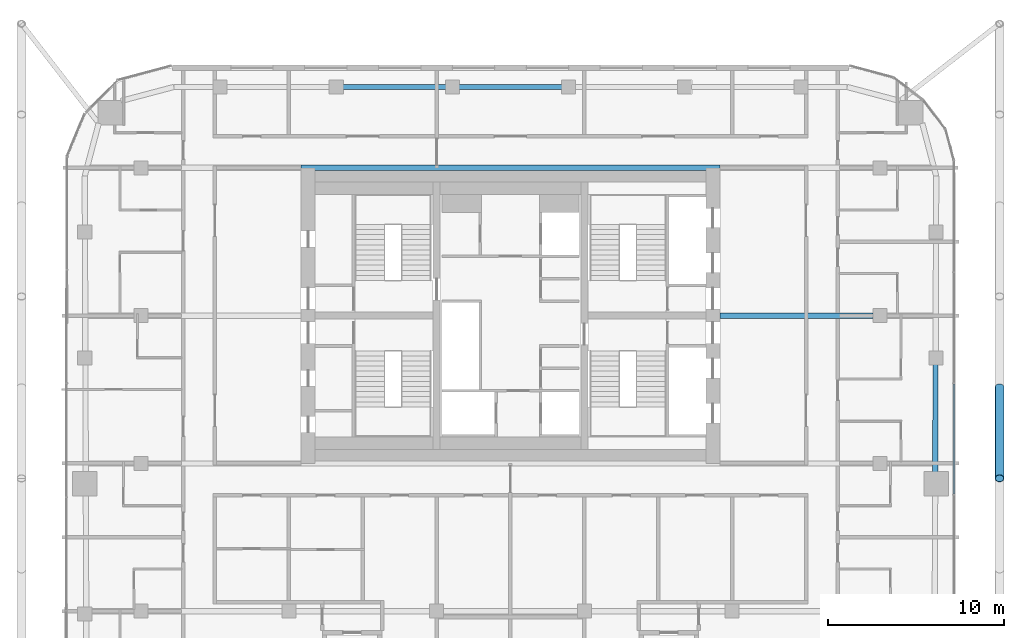
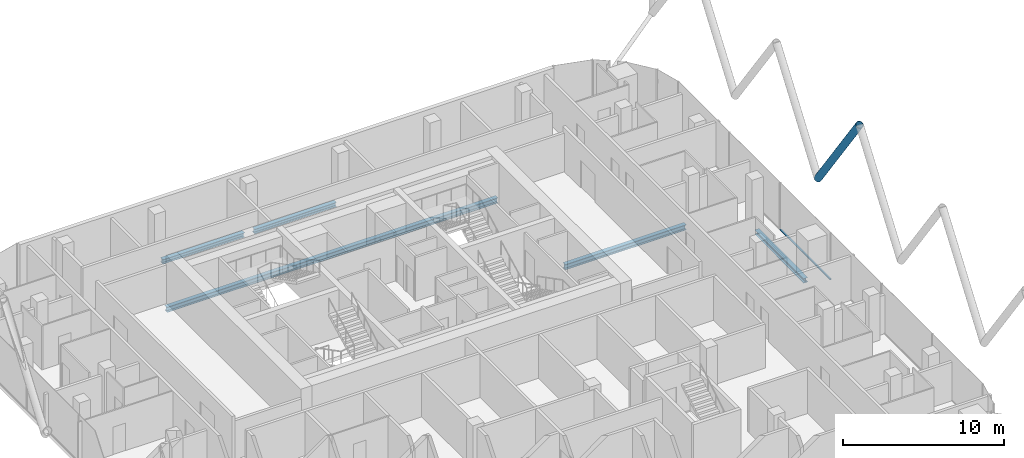
# One storey, part 9 of 28: 5 beams, 2 members, 1 element without a shape of its own.
"""IFC4 building model written with IfcOpenShell, lengths in metres."""

from ifc_helpers import new_model, si_unit, direction, frame, origin, origin_2d, place, context, subcontext, project, spatial, rectangle, hollow_circle, i_section, extrude, material, layer, layer_set, material_profile, profile_set, type_object, element, aggregate, save


model = new_model("IFC4")

# Units and contexts
model_context = context("Model", 3, precision=1e-05, world=origin(), true_north=direction((0.0, 1.0)))
body_context = subcontext(model_context, "Body", "Model", "MODEL_VIEW")
ifc_project = project(units=[si_unit("LENGTHUNIT", "METRE"), si_unit("AREAUNIT", "SQUARE_METRE"), si_unit("VOLUMEUNIT", "CUBIC_METRE"), si_unit("PLANEANGLEUNIT", "RADIAN"), si_unit("MASSUNIT", "GRAM", prefix="KILO")], contexts=[model_context])

# Site, building, storey
site_placement = place(None, origin())
site = spatial("IfcSite", under=ifc_project, at=site_placement, CompositionType="ELEMENT")
building_placement = place(site_placement, origin())
building = spatial("IfcBuilding", under=site, at=building_placement, Name="Marenta Gate Hotel Tower", CompositionType="ELEMENT")
storey_placement = place(building_placement, frame((0.0, 0.0, 212.89990234375)))
storey = spatial("IfcBuildingStorey", under=building, at=storey_placement, Name="L49", CompositionType="ELEMENT", Elevation=212.89990234375)

# Member
ifc_material_1 = material(Name="Steel S355J2W", Category="steel")
ifc_material_profile_1 = material_profile(ifc_material_1, hollow_circle(Radius=0.25390625, WallThickness=0.02490234375, at=origin_2d()), Name="CHS 508x25")
ifc_profile_set_1 = profile_set([ifc_material_profile_1], Name="Steel S355J2W")
member_type_1 = type_object("IfcMemberType", Name="Diagrid diagonal Z3 CHS 508x25", PredefinedType="BRACE", material=ifc_profile_set_1)
member_1_placement = place(storey_placement, frame((27.800048828125, 4.31982421875, 3.14013671875), z_axis=(0.0, -0.583260841117, 0.812284919975), x_axis=(1.0, 0.0, 0.0)))
element("IfcMember", 1, at=member_1_placement, inside=storey, type_object=member_type_1, Name="L49-DG-5", PredefinedType="BRACE", context=body_context, shape_type="SweptSolid", body=[
    extrude(hollow_circle(Radius=0.25390625, WallThickness=0.02490234375, at=origin_2d()), origin(), (0.0, 0.0, 1.0), 8.86376953125),
])

# Beams
ifc_material_2 = material(Name="Steel S355", Category="steel")
ifc_material_profile_2 = material_profile(ifc_material_2, i_section(OverallWidth=0.300048828125, OverallDepth=0.340087890625, WebThickness=0.011962890625, FlangeThickness=0.021484375, FilletRadius=0.027099609375, at=origin_2d()), Name="HEB 340")
ifc_profile_set_2 = profile_set([ifc_material_profile_2], Name="Steel S355")
beam_type_1 = type_object("IfcBeamType", Name="Edge beam HEB 340", PredefinedType="SPANDREL", material=ifc_profile_set_2)
for number, where, z_axis, x_axis, name in (
    (2, (-9.544189453125, 21.39990234375, -0.429931640625), (1.0, 0.0, 0.0), (0.0, 1.0, 0.0), "L49-EB-15"),
    (3, (-2.94140625, 21.39990234375, -0.429931640625), (1.0, 0.0, 0.0), (0.0, 1.0, 0.0), "L49-EB-16"),
):
    element("IfcBeam", number, at=place(storey_placement, frame(where, z_axis=z_axis, x_axis=x_axis)), inside=storey, type_object=beam_type_1, Name=name, PredefinedType="SPANDREL", context=body_context, shape_type="SweptSolid", body=[
        extrude(i_section(OverallWidth=0.300048828125, OverallDepth=0.340087890625, WebThickness=0.011962890625, FlangeThickness=0.021484375, FilletRadius=0.027099609375, at=origin_2d()), origin(), (0.0, 0.0, 1.0), 5.8828125),
    ])
beam_1_placement = place(storey_placement, frame((24.164306640625, 5.643310546875, -0.429931640625), z_axis=(-0.003303859048, -0.999994542243, 0.0), x_axis=(0.999994542243, -0.003303859048, 0.0)))
element("IfcBeam", 4, at=beam_1_placement, inside=storey, type_object=beam_type_1, Name="L49-EB-24", PredefinedType="SPANDREL", context=body_context, shape_type="SweptSolid", body=[
    extrude(i_section(OverallWidth=0.300048828125, OverallDepth=0.340087890625, WebThickness=0.011962890625, FlangeThickness=0.021484375, FilletRadius=0.027099609375, at=origin_2d()), origin(), (0.0, 0.0, 1.0), 6.13330078125),
])
ifc_material_3 = material(Name="Steel S355", Category="steel")
ifc_material_profile_3 = material_profile(ifc_material_3, i_section(OverallWidth=0.300048828125, OverallDepth=0.39990234375, WebThickness=0.013427734375, FlangeThickness=0.02392578125, FilletRadius=0.027099609375, at=origin_2d()), Name="HEB 400")
ifc_profile_set_3 = profile_set([ifc_material_profile_3], Name="Steel S355")
beam_type_2 = type_object("IfcBeamType", Name="Girder HEB 400", PredefinedType="BEAM", material=ifc_profile_set_3)
beam_2_placement = place(storey_placement, frame((11.89990234375, 8.39990234375, -0.4599609375), z_axis=(1.0, 0.0, 0.0), x_axis=(0.0, 1.0, 0.0)))
element("IfcBeam", 5, at=beam_2_placement, inside=storey, type_object=beam_type_2, Name="L49-GD-27", PredefinedType="BEAM", context=body_context, shape_type="SweptSolid", body=[
    extrude(i_section(OverallWidth=0.300048828125, OverallDepth=0.39990234375, WebThickness=0.013427734375, FlangeThickness=0.02392578125, FilletRadius=0.027099609375, at=origin_2d()), origin(), (0.0, 0.0, 1.0), 8.7001953125),
])
beam_3_placement = place(storey_placement, frame((-11.89990234375, 16.800048828125, -0.4599609375), z_axis=(1.0, 0.0, 0.0), x_axis=(0.0, 1.0, 0.0)))
element("IfcBeam", 6, at=beam_3_placement, inside=storey, type_object=beam_type_2, Name="L49-GD-31", PredefinedType="BEAM", context=body_context, shape_type="SweptSolid", body=[
    extrude(i_section(OverallWidth=0.300048828125, OverallDepth=0.39990234375, WebThickness=0.013427734375, FlangeThickness=0.02392578125, FilletRadius=0.027099609375, at=origin_2d()), origin(), (0.0, 0.0, 1.0), 23.7998046875),
])

# Curtain wall, member
ifc_material_4 = material(Name="Tinted insulated glass in bronze anodised frame", Category="glass")
ifc_layer = layer(ifc_material_4, 0.1201171875)
ifc_layer_set = layer_set([ifc_layer], Name="Tinted insulated glass in bronze anodised frame")
curtain_wall_type = type_object("IfcCurtainWallType", Name="Tower unitised curtain wall CW1", PredefinedType="NOTDEFINED", material=ifc_layer_set)
curtain_wall_placement = place(storey_placement, origin())
curtain_wall = element("IfcCurtainWall", 7, at=curtain_wall_placement, inside=storey, type_object=curtain_wall_type, Name="CW1 run G19", PredefinedType="NOTDEFINED")
ifc_material_5 = material(Name="Bronze anodised aluminium", Category="aluminium")
ifc_material_profile_4 = material_profile(ifc_material_5, rectangle(XDim=0.1201171875, YDim=0.06005859375, at=origin_2d()), Name="Transom CW1 60x120 bronze anodised aluminium")
ifc_profile_set_4 = profile_set([ifc_material_profile_4], Name="Bronze anodised aluminium")
member_type_2 = type_object("IfcMemberType", Name="Transom CW1 60x120 bronze anodised aluminium", PredefinedType="USERDEFINED", material=ifc_profile_set_4)
member_2_placement = place(storey_placement, frame((25.214111328125, -1.74609375, 0.030029296875), z_axis=(0.0, 1.0, 0.0), x_axis=(-1.0, 0.0, 0.0)))
member_2 = element("IfcMember", 8, at=member_2_placement, type_object=member_type_2, Name="CW1 transom 4.1", ObjectType="TRANSOM", PredefinedType="USERDEFINED", context=body_context, shape_type="SweptSolid", body=[
    extrude(rectangle(XDim=0.1201171875, YDim=0.06005859375, at=origin_2d()), origin(), (0.0, 0.0, 1.0), 6.2626953125),
])
aggregate(curtain_wall, [member_2])

save(model, "model.ifc")
